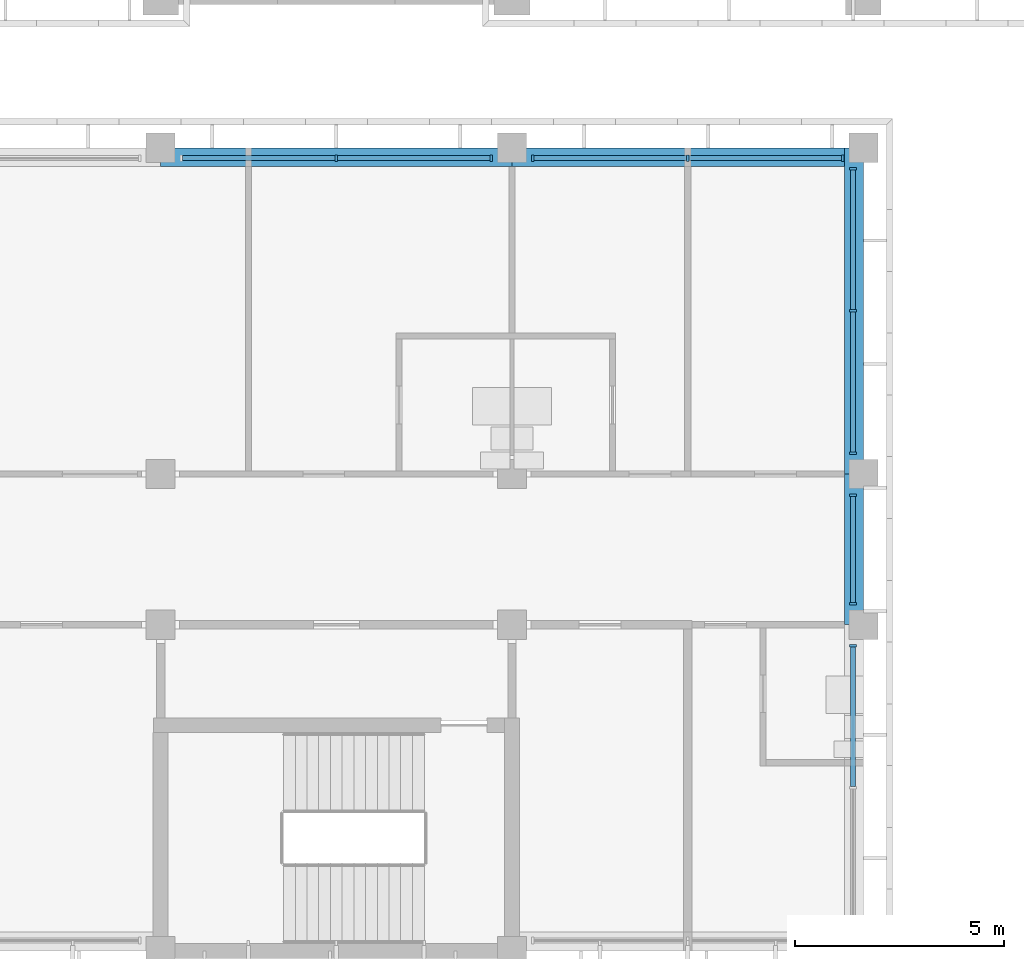
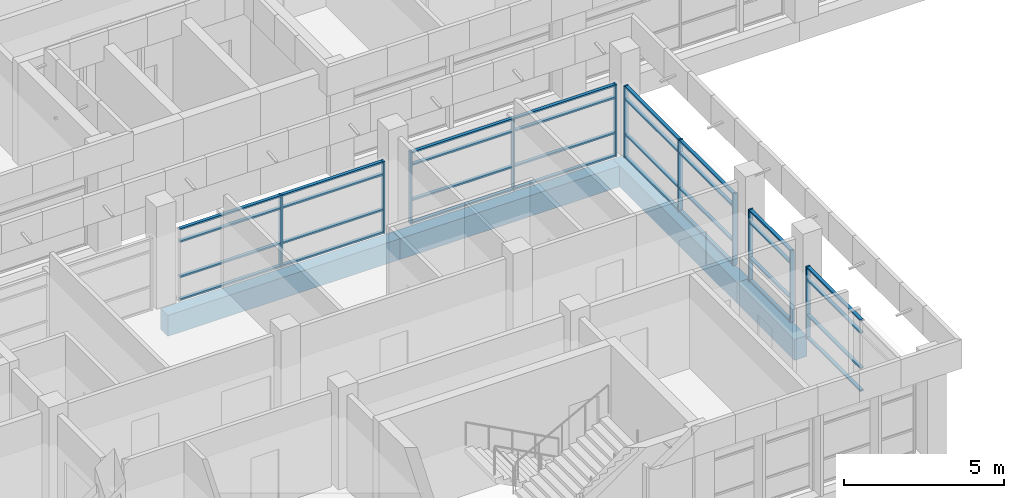
# One storey, part 12 of 74: 43 members, 4 beams, 5 elements without a shape of their own.
"""IFC4 building model written with IfcOpenShell, lengths in metres."""

from ifc_helpers import new_model, si_unit, direction, frame, origin, origin_2d, place, context, subcontext, project, spatial, rectangle, extrude, material, material_profile, profile_set, type_object, element, aggregate, save


model = new_model("IFC4")

# Units and contexts
model_context = context("Model", 3, precision=1e-05, world=origin(), true_north=direction((0.0, 1.0)))
body_context = subcontext(model_context, "Body", "Model", "MODEL_VIEW")
ifc_project = project(units=[si_unit("LENGTHUNIT", "METRE"), si_unit("AREAUNIT", "SQUARE_METRE"), si_unit("VOLUMEUNIT", "CUBIC_METRE"), si_unit("PLANEANGLEUNIT", "RADIAN"), si_unit("MASSUNIT", "GRAM", prefix="KILO")], contexts=[model_context])

# Site, building, storey
site_placement = place(None, origin())
site = spatial("IfcSite", under=ifc_project, at=site_placement, CompositionType="ELEMENT")
building_placement = place(site_placement, origin())
building = spatial("IfcBuilding", under=site, at=building_placement, Name="Bougainvillea Quay General Hospital", CompositionType="ELEMENT")
storey_placement = place(building_placement, frame((0.0, 0.0, 21.0)))
storey = spatial("IfcBuildingStorey", under=building, at=storey_placement, Name="L04", CompositionType="ELEMENT", Elevation=21.0)

# Curtain wall, member
ifc_material_1 = material(Name="Aluminium curtain wall system, powder-coated glazed", Category="aluminium")
curtain_wall_type_1 = type_object("IfcCurtainWallType", Name="Unitised curtain wall CW-3430", PredefinedType="NOTDEFINED", material=ifc_material_1)
curtain_wall_1_placement = place(storey_placement, origin())
curtain_wall_1 = element("IfcCurtainWall", 1, at=curtain_wall_1_placement, inside=storey, type_object=curtain_wall_type_1, Name="CW-4200 00", PredefinedType="NOTDEFINED")
ifc_material_2 = material(Name="Aluminium mullion, powder-coated charcoal", Category="aluminium")
ifc_material_profile_1 = material_profile(ifc_material_2, rectangle(XDim=0.159912109375, YDim=0.06005859375, at=origin_2d()))
ifc_profile_set_1 = profile_set([ifc_material_profile_1], Name="Aluminium mullion, powder-coated charcoal")
member_type_1 = type_object("IfcMemberType", Name="Curtain wall mullion 160x60", PredefinedType="MULLION", material=ifc_profile_set_1)
member_1_placement = place(storey_placement, frame((167.75, 124.89990234375, 0.0), z_axis=(0.0, 0.0, 1.0), x_axis=(-1.0, 0.0, 0.0)))
member_1 = element("IfcMember", 2, at=member_1_placement, type_object=member_type_1, Name="CW-4200 mullion 3", PredefinedType="MULLION", context=body_context, shape_type="SweptSolid", body=[
    extrude(rectangle(XDim=0.159912109375, YDim=0.06005859375, at=origin_2d()), origin(), (0.0, 0.0, 1.0), 2.75),
])

# Curtain wall, members
curtain_wall_type_2 = type_object("IfcCurtainWallType", Name="Unitised curtain wall CW-2660", PredefinedType="NOTDEFINED", material=ifc_material_1)
curtain_wall_2_placement = place(storey_placement, origin())
curtain_wall_2 = element("IfcCurtainWall", 3, at=curtain_wall_2_placement, inside=storey, type_object=curtain_wall_type_2, Name="CW-4200 01", PredefinedType="NOTDEFINED")
member_2_placement = place(storey_placement, frame((167.75, 125.89990234375, 0.0), z_axis=(0.0, 0.0, 1.0), x_axis=(-1.0, 0.0, 0.0)))
member_2 = element("IfcMember", 4, at=member_2_placement, type_object=member_type_1, Name="CW-4200 mullion 1", PredefinedType="MULLION", context=body_context, shape_type="SweptSolid", body=[
    extrude(rectangle(XDim=0.159912109375, YDim=0.06005859375, at=origin_2d()), origin(), (0.0, 0.0, 1.0), 2.75),
])
member_3_placement = place(storey_placement, frame((167.75, 128.5, 0.0), z_axis=(0.0, 0.0, 1.0), x_axis=(-1.0, 0.0, 0.0)))
member_3 = element("IfcMember", 5, at=member_3_placement, type_object=member_type_1, Name="CW-4200 mullion 2", PredefinedType="MULLION", context=body_context, shape_type="SweptSolid", body=[
    extrude(rectangle(XDim=0.159912109375, YDim=0.06005859375, at=origin_2d()), origin(), (0.0, 0.0, 1.0), 2.75),
])

curtain_wall_3_placement = place(storey_placement, origin())
curtain_wall_3 = element("IfcCurtainWall", 6, at=curtain_wall_3_placement, inside=storey, type_object=curtain_wall_type_1, Name="CW-4200 02", PredefinedType="NOTDEFINED")
member_4_placement = place(storey_placement, frame((167.75, 129.5, 0.0), z_axis=(0.0, 0.0, 1.0), x_axis=(-1.0, 0.0, 0.0)))
member_4 = element("IfcMember", 7, at=member_4_placement, type_object=member_type_1, Name="CW-4200 mullion 1", PredefinedType="MULLION", context=body_context, shape_type="SweptSolid", body=[
    extrude(rectangle(XDim=0.159912109375, YDim=0.06005859375, at=origin_2d()), origin(), (0.0, 0.0, 1.0), 2.75),
])
member_5_placement = place(storey_placement, frame((167.75, 132.89990234375, 0.0), z_axis=(0.0, 0.0, 1.0), x_axis=(-1.0, 0.0, 0.0)))
member_5 = element("IfcMember", 8, at=member_5_placement, type_object=member_type_1, Name="CW-4200 mullion 2", PredefinedType="MULLION", context=body_context, shape_type="SweptSolid", body=[
    extrude(rectangle(XDim=0.159912109375, YDim=0.06005859375, at=origin_2d()), origin(), (0.0, 0.0, 1.0), 2.75),
])
member_6_placement = place(storey_placement, frame((167.75, 136.300048828125, 0.0), z_axis=(0.0, 0.0, 1.0), x_axis=(-1.0, 0.0, 0.0)))
member_6 = element("IfcMember", 9, at=member_6_placement, type_object=member_type_1, Name="CW-4200 mullion 3", PredefinedType="MULLION", context=body_context, shape_type="SweptSolid", body=[
    extrude(rectangle(XDim=0.159912109375, YDim=0.06005859375, at=origin_2d()), origin(), (0.0, 0.0, 1.0), 2.75),
])

curtain_wall_type_3 = type_object("IfcCurtainWallType", Name="Unitised curtain wall CW-3730", PredefinedType="NOTDEFINED", material=ifc_material_1)
curtain_wall_4_placement = place(storey_placement, origin())
curtain_wall_4 = element("IfcCurtainWall", 10, at=curtain_wall_4_placement, inside=storey, type_object=curtain_wall_type_3, Name="CW-4200 00", PredefinedType="NOTDEFINED")
member_7_placement = place(storey_placement, frame((167.5, 136.550048828125, 0.0), z_axis=(0.0, 0.0, 1.0), x_axis=(0.0, -1.0, 0.0)))
member_7 = element("IfcMember", 11, at=member_7_placement, type_object=member_type_1, Name="CW-4200 mullion 1", PredefinedType="MULLION", context=body_context, shape_type="SweptSolid", body=[
    extrude(rectangle(XDim=0.159912109375, YDim=0.06005859375, at=origin_2d()), origin(), (0.0, 0.0, 1.0), 2.75),
])
member_8_placement = place(storey_placement, frame((163.800048828125, 136.550048828125, 0.0), z_axis=(0.0, 0.0, 1.0), x_axis=(0.0, -1.0, 0.0)))
member_8 = element("IfcMember", 12, at=member_8_placement, type_object=member_type_1, Name="CW-4200 mullion 2", PredefinedType="MULLION", context=body_context, shape_type="SweptSolid", body=[
    extrude(rectangle(XDim=0.159912109375, YDim=0.06005859375, at=origin_2d()), origin(), (0.0, 0.0, 1.0), 2.75),
])
member_9_placement = place(storey_placement, frame((160.10009765625, 136.550048828125, 0.0), z_axis=(0.0, 0.0, 1.0), x_axis=(0.0, -1.0, 0.0)))
member_9 = element("IfcMember", 13, at=member_9_placement, type_object=member_type_1, Name="CW-4200 mullion 3", PredefinedType="MULLION", context=body_context, shape_type="SweptSolid", body=[
    extrude(rectangle(XDim=0.159912109375, YDim=0.06005859375, at=origin_2d()), origin(), (0.0, 0.0, 1.0), 2.75),
])

curtain_wall_5_placement = place(storey_placement, origin())
curtain_wall_5 = element("IfcCurtainWall", 14, at=curtain_wall_5_placement, inside=storey, type_object=curtain_wall_type_3, Name="CW-4200 01", PredefinedType="NOTDEFINED")
member_10_placement = place(storey_placement, frame((159.10009765625, 136.550048828125, 0.0), z_axis=(0.0, 0.0, 1.0), x_axis=(0.0, -1.0, 0.0)))
member_10 = element("IfcMember", 15, at=member_10_placement, type_object=member_type_1, Name="CW-4200 mullion 1", PredefinedType="MULLION", context=body_context, shape_type="SweptSolid", body=[
    extrude(rectangle(XDim=0.159912109375, YDim=0.06005859375, at=origin_2d()), origin(), (0.0, 0.0, 1.0), 2.75),
])
member_11_placement = place(storey_placement, frame((155.39990234375, 136.550048828125, 0.0), z_axis=(0.0, 0.0, 1.0), x_axis=(0.0, -1.0, 0.0)))
member_11 = element("IfcMember", 16, at=member_11_placement, type_object=member_type_1, Name="CW-4200 mullion 2", PredefinedType="MULLION", context=body_context, shape_type="SweptSolid", body=[
    extrude(rectangle(XDim=0.159912109375, YDim=0.06005859375, at=origin_2d()), origin(), (0.0, 0.0, 1.0), 2.75),
])

# Member
ifc_material_3 = material(Name="Aluminium transom, powder-coated charcoal", Category="aluminium")
ifc_material_profile_2 = material_profile(ifc_material_3, rectangle(XDim=0.1201171875, YDim=0.06005859375, at=origin_2d()))
ifc_profile_set_2 = profile_set([ifc_material_profile_2], Name="Aluminium transom, powder-coated charcoal")
member_type_2 = type_object("IfcMemberType", Name="Curtain wall transom 120x60", PredefinedType="USERDEFINED", material=ifc_profile_set_2)
member_12_placement = place(storey_placement, frame((167.75, 121.530029296875, 0.030029296875), z_axis=(0.0, 1.0, 0.0), x_axis=(-1.0, 0.0, 0.0)))
member_12 = element("IfcMember", 17, at=member_12_placement, type_object=member_type_2, Name="CW-4200 transom 2.1", ObjectType="TRANSOM", PredefinedType="USERDEFINED", context=body_context, shape_type="SweptSolid", body=[
    extrude(rectangle(XDim=0.1201171875, YDim=0.06005859375, at=origin_2d()), origin(), (0.0, 0.0, 1.0), 3.340087890625),
])

member_13_placement = place(storey_placement, frame((167.75, 121.530029296875, 0.89990234375), z_axis=(0.0, 1.0, 0.0), x_axis=(-1.0, 0.0, 0.0)))
member_13 = element("IfcMember", 18, at=member_13_placement, type_object=member_type_2, Name="CW-4200 transom 2.2", ObjectType="TRANSOM", PredefinedType="USERDEFINED", context=body_context, shape_type="SweptSolid", body=[
    extrude(rectangle(XDim=0.1201171875, YDim=0.06005859375, at=origin_2d()), origin(), (0.0, 0.0, 1.0), 3.340087890625),
])

member_14_placement = place(storey_placement, frame((167.75, 121.530029296875, 2.25), z_axis=(0.0, 1.0, 0.0), x_axis=(-1.0, 0.0, 0.0)))
member_14 = element("IfcMember", 19, at=member_14_placement, type_object=member_type_2, Name="CW-4200 transom 2.3", ObjectType="TRANSOM", PredefinedType="USERDEFINED", context=body_context, shape_type="SweptSolid", body=[
    extrude(rectangle(XDim=0.1201171875, YDim=0.06005859375, at=origin_2d()), origin(), (0.0, 0.0, 1.0), 3.340087890625),
])

member_15_placement = place(storey_placement, frame((167.75, 121.530029296875, 2.719970703125), z_axis=(0.0, 1.0, 0.0), x_axis=(-1.0, 0.0, 0.0)))
member_15 = element("IfcMember", 20, at=member_15_placement, type_object=member_type_2, Name="CW-4200 transom 2.4", ObjectType="TRANSOM", PredefinedType="USERDEFINED", context=body_context, shape_type="SweptSolid", body=[
    extrude(rectangle(XDim=0.1201171875, YDim=0.06005859375, at=origin_2d()), origin(), (0.0, 0.0, 1.0), 3.340087890625),
])

aggregate(curtain_wall_1, [member_1, member_12, member_13, member_14, member_15])

member_16_placement = place(storey_placement, frame((167.75, 125.929931640625, 0.030029296875), z_axis=(0.0, 1.0, 0.0), x_axis=(-1.0, 0.0, 0.0)))
member_16 = element("IfcMember", 21, at=member_16_placement, type_object=member_type_2, Name="CW-4200 transom 1.1", ObjectType="TRANSOM", PredefinedType="USERDEFINED", context=body_context, shape_type="SweptSolid", body=[
    extrude(rectangle(XDim=0.1201171875, YDim=0.06005859375, at=origin_2d()), origin(), (0.0, 0.0, 1.0), 2.5400390625),
])

member_17_placement = place(storey_placement, frame((167.75, 125.929931640625, 0.89990234375), z_axis=(0.0, 1.0, 0.0), x_axis=(-1.0, 0.0, 0.0)))
member_17 = element("IfcMember", 22, at=member_17_placement, type_object=member_type_2, Name="CW-4200 transom 1.2", ObjectType="TRANSOM", PredefinedType="USERDEFINED", context=body_context, shape_type="SweptSolid", body=[
    extrude(rectangle(XDim=0.1201171875, YDim=0.06005859375, at=origin_2d()), origin(), (0.0, 0.0, 1.0), 2.5400390625),
])

member_18_placement = place(storey_placement, frame((167.75, 125.929931640625, 2.25), z_axis=(0.0, 1.0, 0.0), x_axis=(-1.0, 0.0, 0.0)))
member_18 = element("IfcMember", 23, at=member_18_placement, type_object=member_type_2, Name="CW-4200 transom 1.3", ObjectType="TRANSOM", PredefinedType="USERDEFINED", context=body_context, shape_type="SweptSolid", body=[
    extrude(rectangle(XDim=0.1201171875, YDim=0.06005859375, at=origin_2d()), origin(), (0.0, 0.0, 1.0), 2.5400390625),
])

member_19_placement = place(storey_placement, frame((167.75, 125.929931640625, 2.719970703125), z_axis=(0.0, 1.0, 0.0), x_axis=(-1.0, 0.0, 0.0)))
member_19 = element("IfcMember", 24, at=member_19_placement, type_object=member_type_2, Name="CW-4200 transom 1.4", ObjectType="TRANSOM", PredefinedType="USERDEFINED", context=body_context, shape_type="SweptSolid", body=[
    extrude(rectangle(XDim=0.1201171875, YDim=0.06005859375, at=origin_2d()), origin(), (0.0, 0.0, 1.0), 2.5400390625),
])

aggregate(curtain_wall_2, [member_2, member_3, member_16, member_17, member_18, member_19])

member_20_placement = place(storey_placement, frame((167.75, 129.530029296875, 0.030029296875), z_axis=(0.0, 1.0, 0.0), x_axis=(-1.0, 0.0, 0.0)))
member_20 = element("IfcMember", 25, at=member_20_placement, type_object=member_type_2, Name="CW-4200 transom 1.1", ObjectType="TRANSOM", PredefinedType="USERDEFINED", context=body_context, shape_type="SweptSolid", body=[
    extrude(rectangle(XDim=0.1201171875, YDim=0.06005859375, at=origin_2d()), origin(), (0.0, 0.0, 1.0), 3.340087890625),
])

member_21_placement = place(storey_placement, frame((167.75, 129.530029296875, 0.89990234375), z_axis=(0.0, 1.0, 0.0), x_axis=(-1.0, 0.0, 0.0)))
member_21 = element("IfcMember", 26, at=member_21_placement, type_object=member_type_2, Name="CW-4200 transom 1.2", ObjectType="TRANSOM", PredefinedType="USERDEFINED", context=body_context, shape_type="SweptSolid", body=[
    extrude(rectangle(XDim=0.1201171875, YDim=0.06005859375, at=origin_2d()), origin(), (0.0, 0.0, 1.0), 3.340087890625),
])

member_22_placement = place(storey_placement, frame((167.75, 129.530029296875, 2.25), z_axis=(0.0, 1.0, 0.0), x_axis=(-1.0, 0.0, 0.0)))
member_22 = element("IfcMember", 27, at=member_22_placement, type_object=member_type_2, Name="CW-4200 transom 1.3", ObjectType="TRANSOM", PredefinedType="USERDEFINED", context=body_context, shape_type="SweptSolid", body=[
    extrude(rectangle(XDim=0.1201171875, YDim=0.06005859375, at=origin_2d()), origin(), (0.0, 0.0, 1.0), 3.340087890625),
])

member_23_placement = place(storey_placement, frame((167.75, 129.530029296875, 2.719970703125), z_axis=(0.0, 1.0, 0.0), x_axis=(-1.0, 0.0, 0.0)))
member_23 = element("IfcMember", 28, at=member_23_placement, type_object=member_type_2, Name="CW-4200 transom 1.4", ObjectType="TRANSOM", PredefinedType="USERDEFINED", context=body_context, shape_type="SweptSolid", body=[
    extrude(rectangle(XDim=0.1201171875, YDim=0.06005859375, at=origin_2d()), origin(), (0.0, 0.0, 1.0), 3.340087890625),
])

member_24_placement = place(storey_placement, frame((167.75, 132.929931640625, 0.030029296875), z_axis=(0.0, 1.0, 0.0), x_axis=(-1.0, 0.0, 0.0)))
member_24 = element("IfcMember", 29, at=member_24_placement, type_object=member_type_2, Name="CW-4200 transom 2.1", ObjectType="TRANSOM", PredefinedType="USERDEFINED", context=body_context, shape_type="SweptSolid", body=[
    extrude(rectangle(XDim=0.1201171875, YDim=0.06005859375, at=origin_2d()), origin(), (0.0, 0.0, 1.0), 3.340087890625),
])

member_25_placement = place(storey_placement, frame((167.75, 132.929931640625, 0.89990234375), z_axis=(0.0, 1.0, 0.0), x_axis=(-1.0, 0.0, 0.0)))
member_25 = element("IfcMember", 30, at=member_25_placement, type_object=member_type_2, Name="CW-4200 transom 2.2", ObjectType="TRANSOM", PredefinedType="USERDEFINED", context=body_context, shape_type="SweptSolid", body=[
    extrude(rectangle(XDim=0.1201171875, YDim=0.06005859375, at=origin_2d()), origin(), (0.0, 0.0, 1.0), 3.340087890625),
])

member_26_placement = place(storey_placement, frame((167.75, 132.929931640625, 2.25), z_axis=(0.0, 1.0, 0.0), x_axis=(-1.0, 0.0, 0.0)))
member_26 = element("IfcMember", 31, at=member_26_placement, type_object=member_type_2, Name="CW-4200 transom 2.3", ObjectType="TRANSOM", PredefinedType="USERDEFINED", context=body_context, shape_type="SweptSolid", body=[
    extrude(rectangle(XDim=0.1201171875, YDim=0.06005859375, at=origin_2d()), origin(), (0.0, 0.0, 1.0), 3.340087890625),
])

member_27_placement = place(storey_placement, frame((167.75, 132.929931640625, 2.719970703125), z_axis=(0.0, 1.0, 0.0), x_axis=(-1.0, 0.0, 0.0)))
member_27 = element("IfcMember", 32, at=member_27_placement, type_object=member_type_2, Name="CW-4200 transom 2.4", ObjectType="TRANSOM", PredefinedType="USERDEFINED", context=body_context, shape_type="SweptSolid", body=[
    extrude(rectangle(XDim=0.1201171875, YDim=0.06005859375, at=origin_2d()), origin(), (0.0, 0.0, 1.0), 3.340087890625),
])

aggregate(curtain_wall_3, [member_4, member_5, member_6, member_20, member_21, member_22, member_23, member_24, member_25, member_26, member_27])

member_28_placement = place(storey_placement, frame((167.469970703125, 136.550048828125, 0.030029296875), z_axis=(-1.0, 0.0, 0.0), x_axis=(0.0, -1.0, 0.0)))
member_28 = element("IfcMember", 33, at=member_28_placement, type_object=member_type_2, Name="CW-4200 transom 1.1", ObjectType="TRANSOM", PredefinedType="USERDEFINED", context=body_context, shape_type="SweptSolid", body=[
    extrude(rectangle(XDim=0.1201171875, YDim=0.06005859375, at=origin_2d()), origin(), (0.0, 0.0, 1.0), 3.639892578125),
])

member_29_placement = place(storey_placement, frame((167.469970703125, 136.550048828125, 0.89990234375), z_axis=(-1.0, 0.0, 0.0), x_axis=(0.0, -1.0, 0.0)))
member_29 = element("IfcMember", 34, at=member_29_placement, type_object=member_type_2, Name="CW-4200 transom 1.2", ObjectType="TRANSOM", PredefinedType="USERDEFINED", context=body_context, shape_type="SweptSolid", body=[
    extrude(rectangle(XDim=0.1201171875, YDim=0.06005859375, at=origin_2d()), origin(), (0.0, 0.0, 1.0), 3.639892578125),
])

member_30_placement = place(storey_placement, frame((167.469970703125, 136.550048828125, 2.25), z_axis=(-1.0, 0.0, 0.0), x_axis=(0.0, -1.0, 0.0)))
member_30 = element("IfcMember", 35, at=member_30_placement, type_object=member_type_2, Name="CW-4200 transom 1.3", ObjectType="TRANSOM", PredefinedType="USERDEFINED", context=body_context, shape_type="SweptSolid", body=[
    extrude(rectangle(XDim=0.1201171875, YDim=0.06005859375, at=origin_2d()), origin(), (0.0, 0.0, 1.0), 3.639892578125),
])

member_31_placement = place(storey_placement, frame((167.469970703125, 136.550048828125, 2.719970703125), z_axis=(-1.0, 0.0, 0.0), x_axis=(0.0, -1.0, 0.0)))
member_31 = element("IfcMember", 36, at=member_31_placement, type_object=member_type_2, Name="CW-4200 transom 1.4", ObjectType="TRANSOM", PredefinedType="USERDEFINED", context=body_context, shape_type="SweptSolid", body=[
    extrude(rectangle(XDim=0.1201171875, YDim=0.06005859375, at=origin_2d()), origin(), (0.0, 0.0, 1.0), 3.639892578125),
])

member_32_placement = place(storey_placement, frame((163.77001953125, 136.550048828125, 0.030029296875), z_axis=(-1.0, 0.0, 0.0), x_axis=(0.0, -1.0, 0.0)))
member_32 = element("IfcMember", 37, at=member_32_placement, type_object=member_type_2, Name="CW-4200 transom 2.1", ObjectType="TRANSOM", PredefinedType="USERDEFINED", context=body_context, shape_type="SweptSolid", body=[
    extrude(rectangle(XDim=0.1201171875, YDim=0.06005859375, at=origin_2d()), origin(), (0.0, 0.0, 1.0), 3.64013671875),
])

member_33_placement = place(storey_placement, frame((163.77001953125, 136.550048828125, 0.89990234375), z_axis=(-1.0, 0.0, 0.0), x_axis=(0.0, -1.0, 0.0)))
member_33 = element("IfcMember", 38, at=member_33_placement, type_object=member_type_2, Name="CW-4200 transom 2.2", ObjectType="TRANSOM", PredefinedType="USERDEFINED", context=body_context, shape_type="SweptSolid", body=[
    extrude(rectangle(XDim=0.1201171875, YDim=0.06005859375, at=origin_2d()), origin(), (0.0, 0.0, 1.0), 3.64013671875),
])

member_34_placement = place(storey_placement, frame((163.77001953125, 136.550048828125, 2.25), z_axis=(-1.0, 0.0, 0.0), x_axis=(0.0, -1.0, 0.0)))
member_34 = element("IfcMember", 39, at=member_34_placement, type_object=member_type_2, Name="CW-4200 transom 2.3", ObjectType="TRANSOM", PredefinedType="USERDEFINED", context=body_context, shape_type="SweptSolid", body=[
    extrude(rectangle(XDim=0.1201171875, YDim=0.06005859375, at=origin_2d()), origin(), (0.0, 0.0, 1.0), 3.64013671875),
])

member_35_placement = place(storey_placement, frame((163.77001953125, 136.550048828125, 2.719970703125), z_axis=(-1.0, 0.0, 0.0), x_axis=(0.0, -1.0, 0.0)))
member_35 = element("IfcMember", 40, at=member_35_placement, type_object=member_type_2, Name="CW-4200 transom 2.4", ObjectType="TRANSOM", PredefinedType="USERDEFINED", context=body_context, shape_type="SweptSolid", body=[
    extrude(rectangle(XDim=0.1201171875, YDim=0.06005859375, at=origin_2d()), origin(), (0.0, 0.0, 1.0), 3.64013671875),
])

aggregate(curtain_wall_4, [member_7, member_8, member_9, member_28, member_29, member_30, member_31, member_32, member_33, member_34, member_35])

member_36_placement = place(storey_placement, frame((159.070068359375, 136.550048828125, 0.030029296875), z_axis=(-1.0, 0.0, 0.0), x_axis=(0.0, -1.0, 0.0)))
member_36 = element("IfcMember", 41, at=member_36_placement, type_object=member_type_2, Name="CW-4200 transom 1.1", ObjectType="TRANSOM", PredefinedType="USERDEFINED", context=body_context, shape_type="SweptSolid", body=[
    extrude(rectangle(XDim=0.1201171875, YDim=0.06005859375, at=origin_2d()), origin(), (0.0, 0.0, 1.0), 3.64013671875),
])

member_37_placement = place(storey_placement, frame((159.070068359375, 136.550048828125, 0.89990234375), z_axis=(-1.0, 0.0, 0.0), x_axis=(0.0, -1.0, 0.0)))
member_37 = element("IfcMember", 42, at=member_37_placement, type_object=member_type_2, Name="CW-4200 transom 1.2", ObjectType="TRANSOM", PredefinedType="USERDEFINED", context=body_context, shape_type="SweptSolid", body=[
    extrude(rectangle(XDim=0.1201171875, YDim=0.06005859375, at=origin_2d()), origin(), (0.0, 0.0, 1.0), 3.64013671875),
])

member_38_placement = place(storey_placement, frame((159.070068359375, 136.550048828125, 2.25), z_axis=(-1.0, 0.0, 0.0), x_axis=(0.0, -1.0, 0.0)))
member_38 = element("IfcMember", 43, at=member_38_placement, type_object=member_type_2, Name="CW-4200 transom 1.3", ObjectType="TRANSOM", PredefinedType="USERDEFINED", context=body_context, shape_type="SweptSolid", body=[
    extrude(rectangle(XDim=0.1201171875, YDim=0.06005859375, at=origin_2d()), origin(), (0.0, 0.0, 1.0), 3.64013671875),
])

member_39_placement = place(storey_placement, frame((159.070068359375, 136.550048828125, 2.719970703125), z_axis=(-1.0, 0.0, 0.0), x_axis=(0.0, -1.0, 0.0)))
member_39 = element("IfcMember", 44, at=member_39_placement, type_object=member_type_2, Name="CW-4200 transom 1.4", ObjectType="TRANSOM", PredefinedType="USERDEFINED", context=body_context, shape_type="SweptSolid", body=[
    extrude(rectangle(XDim=0.1201171875, YDim=0.06005859375, at=origin_2d()), origin(), (0.0, 0.0, 1.0), 3.64013671875),
])

member_40_placement = place(storey_placement, frame((155.3701171875, 136.550048828125, 0.030029296875), z_axis=(-1.0, 0.0, 0.0), x_axis=(0.0, -1.0, 0.0)))
member_40 = element("IfcMember", 45, at=member_40_placement, type_object=member_type_2, Name="CW-4200 transom 2.1", ObjectType="TRANSOM", PredefinedType="USERDEFINED", context=body_context, shape_type="SweptSolid", body=[
    extrude(rectangle(XDim=0.1201171875, YDim=0.06005859375, at=origin_2d()), origin(), (0.0, 0.0, 1.0), 3.64013671875),
])

member_41_placement = place(storey_placement, frame((155.3701171875, 136.550048828125, 0.89990234375), z_axis=(-1.0, 0.0, 0.0), x_axis=(0.0, -1.0, 0.0)))
member_41 = element("IfcMember", 46, at=member_41_placement, type_object=member_type_2, Name="CW-4200 transom 2.2", ObjectType="TRANSOM", PredefinedType="USERDEFINED", context=body_context, shape_type="SweptSolid", body=[
    extrude(rectangle(XDim=0.1201171875, YDim=0.06005859375, at=origin_2d()), origin(), (0.0, 0.0, 1.0), 3.64013671875),
])

member_42_placement = place(storey_placement, frame((155.3701171875, 136.550048828125, 2.25), z_axis=(-1.0, 0.0, 0.0), x_axis=(0.0, -1.0, 0.0)))
member_42 = element("IfcMember", 47, at=member_42_placement, type_object=member_type_2, Name="CW-4200 transom 2.3", ObjectType="TRANSOM", PredefinedType="USERDEFINED", context=body_context, shape_type="SweptSolid", body=[
    extrude(rectangle(XDim=0.1201171875, YDim=0.06005859375, at=origin_2d()), origin(), (0.0, 0.0, 1.0), 3.64013671875),
])

member_43_placement = place(storey_placement, frame((155.3701171875, 136.550048828125, 2.719970703125), z_axis=(-1.0, 0.0, 0.0), x_axis=(0.0, -1.0, 0.0)))
member_43 = element("IfcMember", 48, at=member_43_placement, type_object=member_type_2, Name="CW-4200 transom 2.4", ObjectType="TRANSOM", PredefinedType="USERDEFINED", context=body_context, shape_type="SweptSolid", body=[
    extrude(rectangle(XDim=0.1201171875, YDim=0.06005859375, at=origin_2d()), origin(), (0.0, 0.0, 1.0), 3.64013671875),
])

aggregate(curtain_wall_5, [member_10, member_11, member_36, member_37, member_38, member_39, member_40, member_41, member_42, member_43])

# Beams
ifc_material_4 = material(Name="Concrete C40", Category="concrete")
ifc_material_profile_3 = material_profile(ifc_material_4, rectangle(XDim=0.449951171875, YDim=0.800048828125, at=origin_2d()))
ifc_profile_set_3 = profile_set([ifc_material_profile_3], Name="Concrete C40")
beam_type = type_object("IfcBeamType", Name="RC BEAM 450x800 C40", PredefinedType="BEAM", material=ifc_profile_set_3)
beam_1_placement = place(storey_placement, frame((167.77490234375, 125.39990234375, -0.699951171875), z_axis=(0.0, 1.0, 0.0), x_axis=(-1.0, 0.0, 0.0)))
element("IfcBeam", 49, at=beam_1_placement, inside=storey, type_object=beam_type, Name="Edge beam L04", PredefinedType="BEAM", context=body_context, shape_type="SweptSolid", body=[
    extrude(rectangle(XDim=0.449951171875, YDim=0.800048828125, at=origin_2d()), origin(), (0.0, 0.0, 1.0), 3.60009765625),
])
beam_2_placement = place(storey_placement, frame((167.77490234375, 129.0, -0.699951171875), z_axis=(0.0, 1.0, 0.0), x_axis=(-1.0, 0.0, 0.0)))
element("IfcBeam", 50, at=beam_2_placement, inside=storey, type_object=beam_type, Name="Edge beam L04", PredefinedType="BEAM", context=body_context, shape_type="SweptSolid", body=[
    extrude(rectangle(XDim=0.449951171875, YDim=0.800048828125, at=origin_2d()), origin(), (0.0, 0.0, 1.0), 7.800048828125),
])
beam_3_placement = place(storey_placement, frame((168.0, 136.574951171875, -0.699951171875), z_axis=(-1.0, 0.0, 0.0), x_axis=(0.0, -1.0, 0.0)))
element("IfcBeam", 51, at=beam_3_placement, inside=storey, type_object=beam_type, Name="Edge beam L04", PredefinedType="BEAM", context=body_context, shape_type="SweptSolid", body=[
    extrude(rectangle(XDim=0.449951171875, YDim=0.800048828125, at=origin_2d()), origin(), (0.0, 0.0, 1.0), 8.39990234375),
])
beam_4_placement = place(storey_placement, frame((159.60009765625, 136.574951171875, -0.699951171875), z_axis=(-1.0, 0.0, 0.0), x_axis=(0.0, -1.0, 0.0)))
element("IfcBeam", 52, at=beam_4_placement, inside=storey, type_object=beam_type, Name="Edge beam L04", PredefinedType="BEAM", context=body_context, shape_type="SweptSolid", body=[
    extrude(rectangle(XDim=0.449951171875, YDim=0.800048828125, at=origin_2d()), origin(), (0.0, 0.0, 1.0), 8.400146484375),
])

save(model, "model.ifc")
